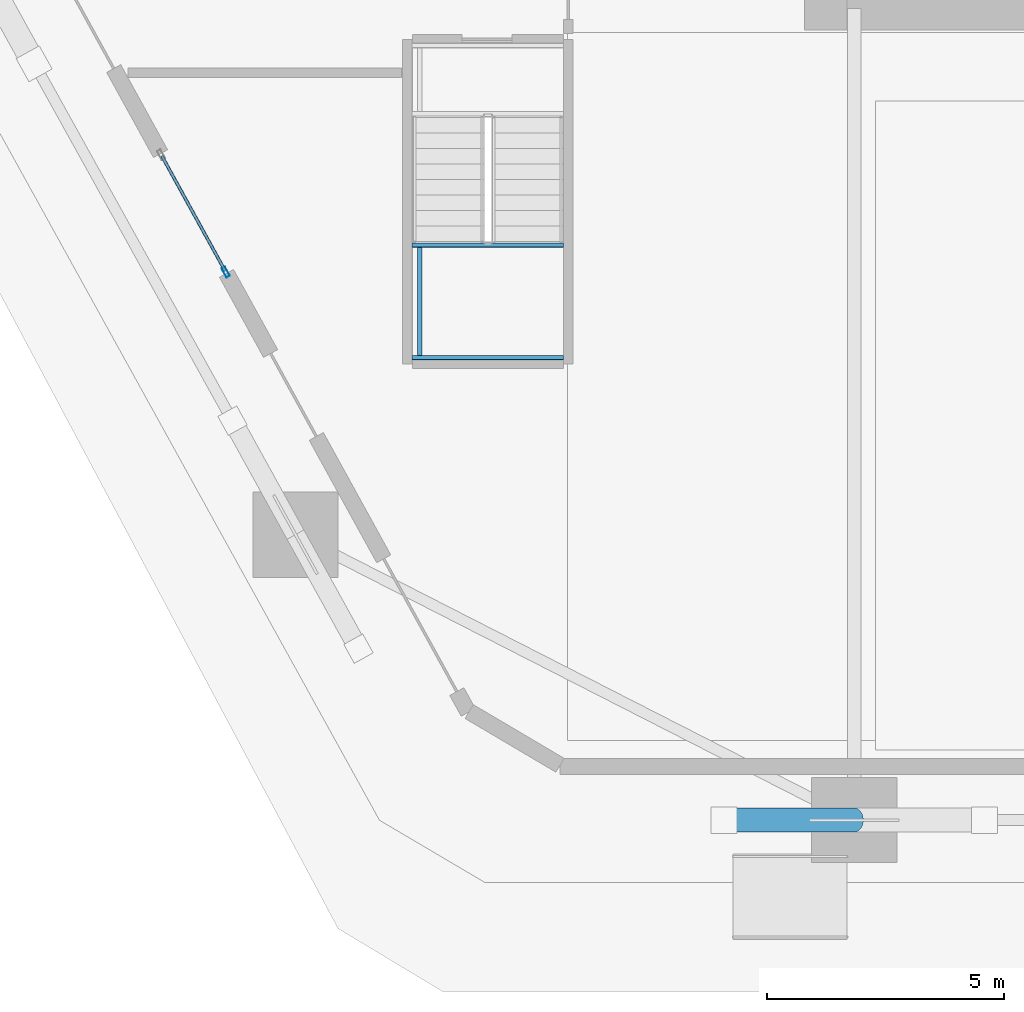
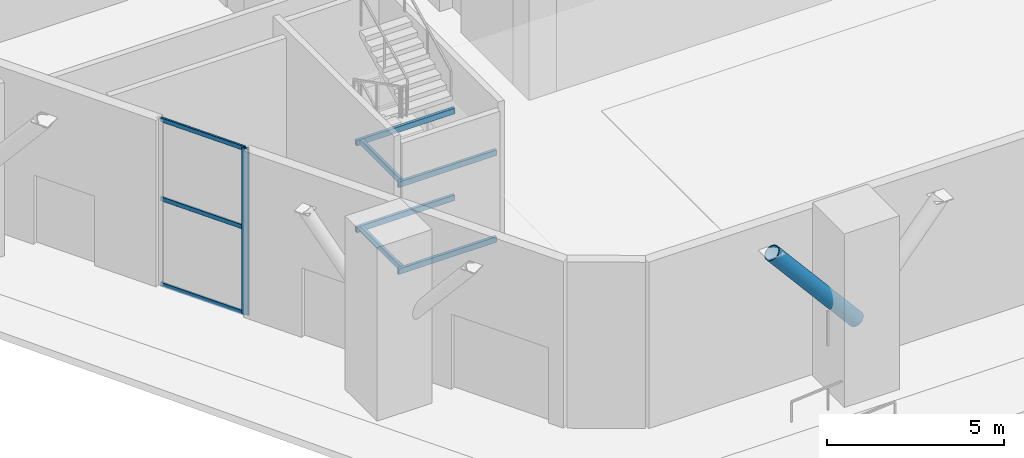
# One storey, part 2 of 22: 6 beams, 5 members, 1 element without a shape of its own.
"""IFC4 building model written with IfcOpenShell, lengths in metres."""

from ifc_helpers import new_model, si_unit, direction, frame, origin, origin_2d, place, context, subcontext, project, spatial, hollow_rectangle, hollow_circle, extrude, material, layer, layer_set, material_profile, profile_set, type_object, element, aggregate, save


model = new_model("IFC4")

# Units and contexts
model_context = context("Model", 3, precision=1e-05, world=origin(), true_north=direction((0.0, 1.0)))
body_context = subcontext(model_context, "Body", "Model", "MODEL_VIEW")
ifc_project = project(units=[si_unit("LENGTHUNIT", "METRE"), si_unit("AREAUNIT", "SQUARE_METRE"), si_unit("VOLUMEUNIT", "CUBIC_METRE"), si_unit("PLANEANGLEUNIT", "RADIAN"), si_unit("MASSUNIT", "GRAM", prefix="KILO")], contexts=[model_context])

# Site, building, storey
site_placement = place(None, origin())
site = spatial("IfcSite", under=ifc_project, at=site_placement, CompositionType="ELEMENT")
building_placement = place(site_placement, origin())
building = spatial("IfcBuilding", under=site, at=building_placement, Name="Cinnabar Lancet Tower", CompositionType="ELEMENT")
storey_placement = place(building_placement, origin())
storey = spatial("IfcBuildingStorey", under=building, at=storey_placement, Name="L00", CompositionType="ELEMENT", Elevation=0.0)

# Curtain wall, members
ifc_material_1 = material(Name="Thermally broken bronze-anodized aluminium and low-E glass", Category="aluminium")
ifc_layer = layer(ifc_material_1, 0.179931640625)
ifc_layer_set = layer_set([ifc_layer], Name="Thermally broken bronze-anodized aluminium and low-E glass")
curtain_wall_type = type_object("IfcCurtainWallType", Name="ENV-CW-SYS-01", PredefinedType="NOTDEFINED", material=ifc_layer_set)
curtain_wall_placement = place(storey_placement, origin())
curtain_wall = element("IfcCurtainWall", 1, at=curtain_wall_placement, inside=storey, type_object=curtain_wall_type, Name="L00 Face 6 Lobby Curtain Wall", PredefinedType="NOTDEFINED")
ifc_material_2 = material(Name="Anodized architectural aluminium 6063-T6", Category="aluminium")
ifc_material_profile_1 = material_profile(ifc_material_2, hollow_rectangle(XDim=0.0849609375, YDim=0.219970703125, WallThickness=0.0048828125, InnerFilletRadius=0.00244140625, OuterFilletRadius=0.007568359375, at=origin_2d()), Name="CW-MUL 220x85x5")
ifc_profile_set_1 = profile_set([ifc_material_profile_1], Name="Anodized architectural aluminium 6063-T6")
member_type_1 = type_object("IfcMemberType", Name="ENV-CW-MUL-220", PredefinedType="MULLION", material=ifc_profile_set_1)
member_1_placement = place(storey_placement, frame((10.28564453125, 12.88720703125, 0.0), z_axis=(0.0, 0.0, 1.0), x_axis=(-0.875981693706, -0.482344350326, 0.0)))
member_1 = element("IfcMember", 2, at=member_1_placement, type_object=member_type_1, Name="CW-01 mullion 1", PredefinedType="MULLION", context=body_context, shape_type="SweptSolid", body=[
    extrude(hollow_rectangle(XDim=0.0849609375, YDim=0.219970703125, WallThickness=0.0048828125, InnerFilletRadius=0.00244140625, OuterFilletRadius=0.007568359375, at=origin_2d()), origin(), (0.0, 0.0, 1.0), 5.75),
])
ifc_material_3 = material(Name="Anodized architectural aluminium 6063-T6", Category="aluminium")
ifc_material_profile_2 = material_profile(ifc_material_3, hollow_rectangle(XDim=0.06494140625, YDim=0.14990234375, WallThickness=0.00390625, InnerFilletRadius=0.001953125, OuterFilletRadius=0.006103515625, at=origin_2d()), Name="CW-TRN 150x65x4")
ifc_profile_set_2 = profile_set([ifc_material_profile_2], Name="Anodized architectural aluminium 6063-T6")
member_type_2 = type_object("IfcMemberType", Name="ENV-CW-TRN-160", PredefinedType="USERDEFINED", material=ifc_profile_set_2)
member_2_placement = place(storey_placement, frame((10.27099609375, 12.91357421875, 0.030029296875), z_axis=(-0.482311769048, 0.875999633241, 0.0), x_axis=(-0.875999633241, -0.482311769048, 0.0)))
member_2 = element("IfcMember", 3, at=member_2_placement, type_object=member_type_2, Name="CW-01 transom 1.1", ObjectType="TRANSOM", PredefinedType="USERDEFINED", context=body_context, shape_type="SweptSolid", body=[
    extrude(hollow_rectangle(XDim=0.06494140625, YDim=0.14990234375, WallThickness=0.00390625, InnerFilletRadius=0.001953125, OuterFilletRadius=0.006103515625, at=origin_2d()), origin(), (0.0, 0.0, 1.0), 2.765869140625),
])
member_3_placement = place(storey_placement, frame((10.27099609375, 12.91357421875, 2.989990234375), z_axis=(-0.482311769048, 0.875999633241, 0.0), x_axis=(-0.875999633241, -0.482311769048, 0.0)))
member_3 = element("IfcMember", 4, at=member_3_placement, type_object=member_type_2, Name="CW-01 transom 1.2", ObjectType="TRANSOM", PredefinedType="USERDEFINED", context=body_context, shape_type="SweptSolid", body=[
    extrude(hollow_rectangle(XDim=0.06494140625, YDim=0.14990234375, WallThickness=0.00390625, InnerFilletRadius=0.001953125, OuterFilletRadius=0.006103515625, at=origin_2d()), origin(), (0.0, 0.0, 1.0), 2.765869140625),
])
member_4_placement = place(storey_placement, frame((10.27099609375, 12.91357421875, 5.719970703125), z_axis=(-0.482311769048, 0.875999633241, 0.0), x_axis=(-0.875999633241, -0.482311769048, 0.0)))
member_4 = element("IfcMember", 5, at=member_4_placement, type_object=member_type_2, Name="CW-01 transom 1.3", ObjectType="TRANSOM", PredefinedType="USERDEFINED", context=body_context, shape_type="SweptSolid", body=[
    extrude(hollow_rectangle(XDim=0.06494140625, YDim=0.14990234375, WallThickness=0.00390625, InnerFilletRadius=0.001953125, OuterFilletRadius=0.006103515625, at=origin_2d()), origin(), (0.0, 0.0, 1.0), 2.765869140625),
])
aggregate(curtain_wall, [member_1, member_2, member_3, member_4])

# Beams
ifc_material_4 = material(Name="Structural steel S355", Category="steel")
ifc_material_profile_3 = material_profile(ifc_material_4, hollow_rectangle(XDim=0.10009765625, YDim=0.199951171875, WallThickness=0.008056640625, InnerFilletRadius=0.00390625, OuterFilletRadius=0.011962890625, at=origin_2d()), Name="RHS 200x100x8")
ifc_profile_set_3 = profile_set([ifc_material_profile_3], Name="Structural steel S355")
beam_type = type_object("IfcBeamType", Name="STR-BM-LND-203", PredefinedType="BEAM", material=ifc_profile_set_3)
for number, where, z_axis, x_axis, name in (
    (6, (14.219970703125, 11.080078125, 1.199951171875), (1.0, 0.0, 0.0), (0.0, 1.0, 0.0), "L00 ST-3-L00 Landing Support Beam S"),
    (7, (14.219970703125, 13.4560546875, 1.199951171875), (1.0, 0.0, 0.0), (0.0, 1.0, 0.0), "L00 ST-3-L00 Landing Support Beam N"),
):
    element("IfcBeam", number, at=place(storey_placement, frame(where, z_axis=z_axis, x_axis=x_axis)), inside=storey, type_object=beam_type, Name=name, PredefinedType="BEAM", context=body_context, shape_type="SweptSolid", body=[
        extrude(hollow_rectangle(XDim=0.10009765625, YDim=0.199951171875, WallThickness=0.008056640625, InnerFilletRadius=0.00390625, OuterFilletRadius=0.011962890625, at=origin_2d()), origin(), (0.0, 0.0, 1.0), 3.199951171875),
    ])
beam_1_placement = place(storey_placement, frame((14.3798828125, 11.1298828125, 1.199951171875), z_axis=(0.0, 1.0, 0.0), x_axis=(-1.0, 0.0, 0.0)))
element("IfcBeam", 8, at=beam_1_placement, inside=storey, type_object=beam_type, Name="L00 ST-3-L00 Landing Side Trimmer Beam", PredefinedType="BEAM", context=body_context, shape_type="SweptSolid", body=[
    extrude(hollow_rectangle(XDim=0.10009765625, YDim=0.199951171875, WallThickness=0.008056640625, InnerFilletRadius=0.00390625, OuterFilletRadius=0.011962890625, at=origin_2d()), origin(), (0.0, 0.0, 1.0), 2.276123046875),
])
for number, where, z_axis, x_axis, name in (
    (9, (14.219970703125, 11.080078125, 4.199951171875), (1.0, 0.0, 0.0), (0.0, 1.0, 0.0), "L00 ST-3-L00 Landing Support Beam S"),
    (10, (14.219970703125, 13.4560546875, 4.199951171875), (1.0, 0.0, 0.0), (0.0, 1.0, 0.0), "L00 ST-3-L00 Landing Support Beam N"),
):
    element("IfcBeam", number, at=place(storey_placement, frame(where, z_axis=z_axis, x_axis=x_axis)), inside=storey, type_object=beam_type, Name=name, PredefinedType="BEAM", context=body_context, shape_type="SweptSolid", body=[
        extrude(hollow_rectangle(XDim=0.10009765625, YDim=0.199951171875, WallThickness=0.008056640625, InnerFilletRadius=0.00390625, OuterFilletRadius=0.011962890625, at=origin_2d()), origin(), (0.0, 0.0, 1.0), 3.199951171875),
    ])
beam_2_placement = place(storey_placement, frame((14.3798828125, 11.1298828125, 4.199951171875), z_axis=(0.0, 1.0, 0.0), x_axis=(-1.0, 0.0, 0.0)))
element("IfcBeam", 11, at=beam_2_placement, inside=storey, type_object=beam_type, Name="L00 ST-3-L00 Landing Side Trimmer Beam", PredefinedType="BEAM", context=body_context, shape_type="SweptSolid", body=[
    extrude(hollow_rectangle(XDim=0.10009765625, YDim=0.199951171875, WallThickness=0.008056640625, InnerFilletRadius=0.00390625, OuterFilletRadius=0.011962890625, at=origin_2d()), origin(), (0.0, 0.0, 1.0), 2.276123046875),
])

# Member
ifc_material_5 = material(Name="Structural steel S460", Category="steel")
ifc_material_profile_4 = material_profile(ifc_material_5, hollow_circle(Radius=0.25390625, WallThickness=0.02490234375, at=origin_2d()), Name="CHS 508x25")
ifc_profile_set_4 = profile_set([ifc_material_profile_4], Name="Structural steel S460")
member_type_3 = type_object("IfcMemberType", Name="STR-MEM-YPIL-508", PredefinedType="STRUT", material=ifc_profile_set_4)
member_5_placement = place(storey_placement, frame((23.554931640625, 1.31689453125, 2.199951171875), z_axis=(-0.645942241466, 0.0, 0.763386285369), x_axis=(0.0, -1.0, 0.0)))
element("IfcMember", 12, at=member_5_placement, inside=storey, type_object=member_type_3, Name="Y-Pilotis Inclined Branch Strut 1A", PredefinedType="STRUT", context=body_context, shape_type="SweptSolid", body=[
    extrude(hollow_circle(Radius=0.25390625, WallThickness=0.02490234375, at=origin_2d()), origin(), (0.0, 0.0, 1.0), 4.25732421875),
])

save(model, "model.ifc")
